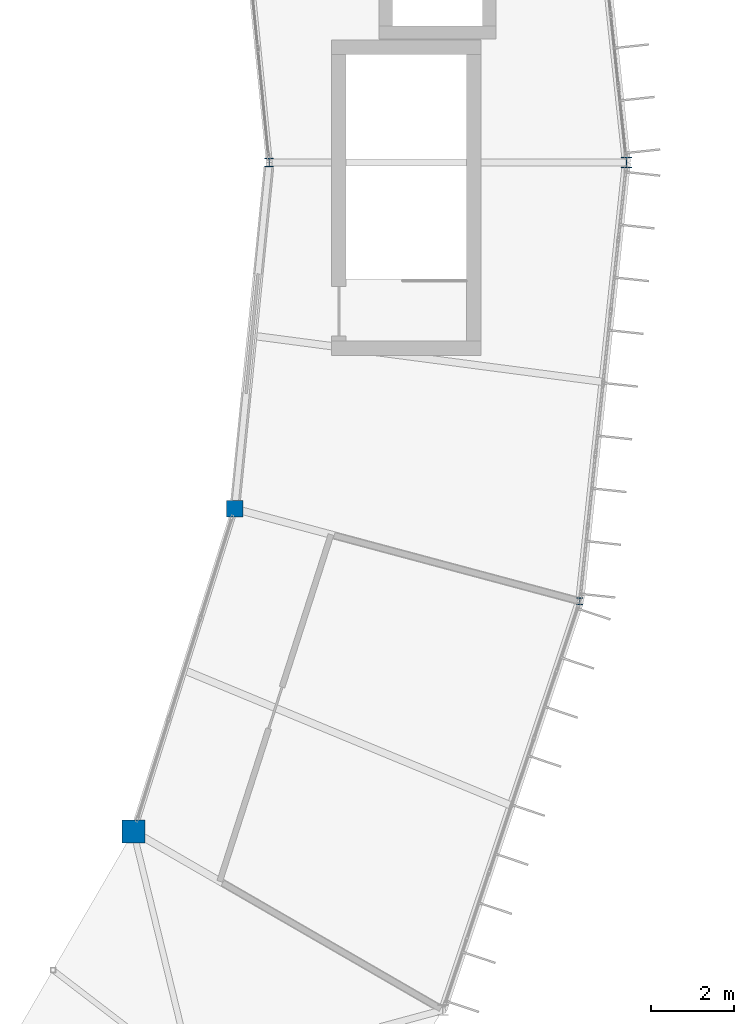
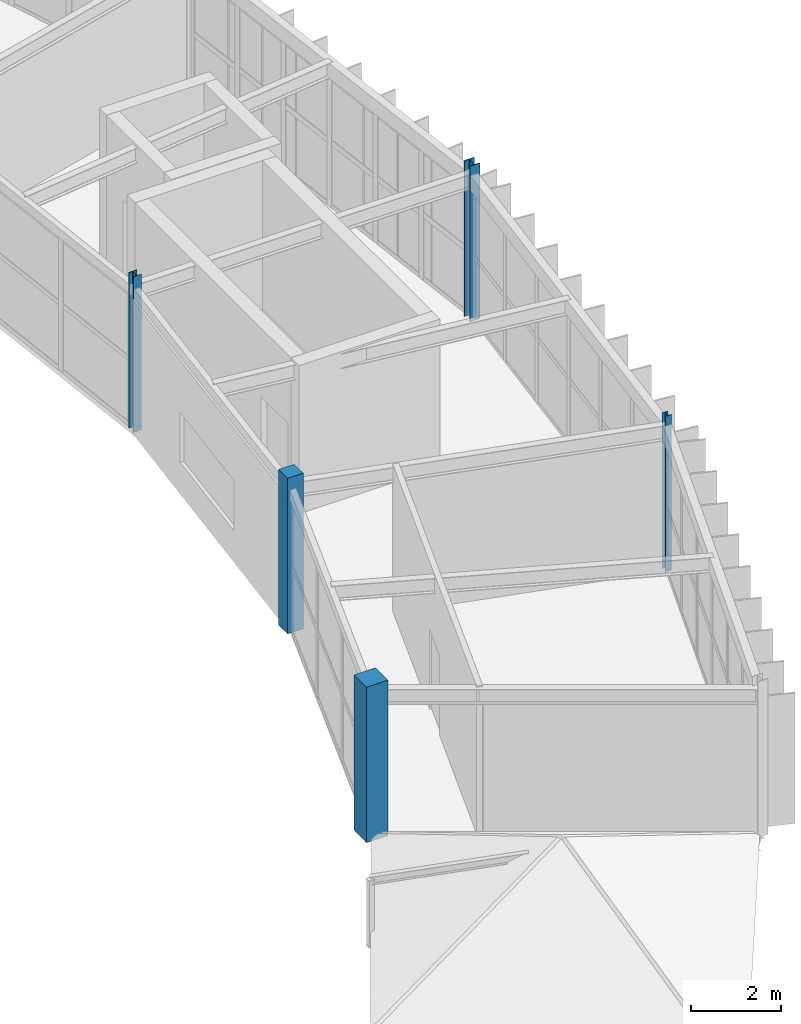
# One storey, part 3 of 66: 5 columns.
"""IFC4 building model written with IfcOpenShell, lengths in metres."""

from ifc_helpers import new_model, si_unit, direction, frame, origin, origin_2d, place, context, subcontext, project, spatial, rectangle, i_section, extrude, material, material_profile, profile_set, type_object, element, save


model = new_model("IFC4")

# Units and contexts
model_context = context("Model", 3, precision=1e-05, world=origin(), true_north=direction((0.0, 1.0)))
body_context = subcontext(model_context, "Body", "Model", "MODEL_VIEW")
ifc_project = project(units=[si_unit("LENGTHUNIT", "METRE"), si_unit("AREAUNIT", "SQUARE_METRE"), si_unit("VOLUMEUNIT", "CUBIC_METRE"), si_unit("PLANEANGLEUNIT", "RADIAN"), si_unit("MASSUNIT", "GRAM", prefix="KILO")], contexts=[model_context])

# Site, building, storey
site_placement = place(None, origin())
site = spatial("IfcSite", under=ifc_project, at=site_placement, CompositionType="ELEMENT")
building_placement = place(site_placement, origin())
building = spatial("IfcBuilding", under=site, at=building_placement, Name="Karori Crest Natural Sciences Institute", CompositionType="ELEMENT")
storey_placement = place(building_placement, frame((0.0, 0.0, 30.10009765625)))
storey = spatial("IfcBuildingStorey", under=building, at=storey_placement, Name="L07", CompositionType="ELEMENT", Elevation=30.10009765625)

# Columns
ifc_material_1 = material(Name="Structural steel AS/NZS 3679.1 Grade 350", Category="steel")
ifc_material_profile_1 = material_profile(ifc_material_1, i_section(OverallWidth=0.256103515625, OverallDepth=0.260009765625, WebThickness=0.010498046875, FlangeThickness=0.017333984375, FilletRadius=0.013916015625, at=origin_2d()), Name="250UC89.5")
ifc_profile_set_1 = profile_set([ifc_material_profile_1], Name="Structural steel AS/NZS 3679.1 Grade 350")
column_type_1 = type_object("IfcColumnType", Name="CT-06", PredefinedType="COLUMN", material=ifc_profile_set_1)
column_1_placement = place(storey_placement, frame((99.39990234375, 49.89990234375, 0.0), z_axis=(0.0, 0.0, 1.0), x_axis=(1.0, 0.0, 0.0)))
element("IfcColumn", 1, at=column_1_placement, inside=storey, type_object=column_type_1, Name="Column C-0017", PredefinedType="COLUMN", context=body_context, shape_type="SweptSolid", body=[
    extrude(i_section(OverallWidth=0.256103515625, OverallDepth=0.260009765625, WebThickness=0.010498046875, FlangeThickness=0.017333984375, FilletRadius=0.013916015625, at=origin_2d()), origin(), (0.0, 0.0, 1.0), 4.199951171875),
])
ifc_material_profile_2 = material_profile(ifc_material_1, i_section(OverallWidth=0.205078125, OverallDepth=0.2099609375, WebThickness=0.00927734375, FlangeThickness=0.01416015625, FilletRadius=0.010986328125, at=origin_2d()), Name="200UC59.5")
ifc_profile_set_2 = profile_set([ifc_material_profile_2], Name="Structural steel AS/NZS 3679.1 Grade 350")
column_type_2 = type_object("IfcColumnType", Name="CT-08", PredefinedType="COLUMN", material=ifc_profile_set_2)
column_2_placement = place(storey_placement, frame((90.800048828125, 49.89990234375, 0.0), z_axis=(0.0, 0.0, 1.0), x_axis=(1.0, 0.0, 0.0)))
element("IfcColumn", 2, at=column_2_placement, inside=storey, type_object=column_type_2, Name="Column C-0018", PredefinedType="COLUMN", context=body_context, shape_type="SweptSolid", body=[
    extrude(i_section(OverallWidth=0.205078125, OverallDepth=0.2099609375, WebThickness=0.00927734375, FlangeThickness=0.01416015625, FilletRadius=0.010986328125, at=origin_2d()), origin(), (0.0, 0.0, 1.0), 4.199951171875),
])
ifc_material_profile_3 = material_profile(ifc_material_1, i_section(OverallWidth=0.154052734375, OverallDepth=0.162109375, WebThickness=0.008056640625, FlangeThickness=0.011474609375, FilletRadius=0.009033203125, at=origin_2d()), Name="150UC37.2")
ifc_profile_set_3 = profile_set([ifc_material_profile_3], Name="Structural steel AS/NZS 3679.1 Grade 350")
column_type_3 = type_object("IfcColumnType", Name="CT-26", PredefinedType="COLUMN", material=ifc_profile_set_3)
column_3_placement = place(storey_placement, frame((98.275634765625, 39.340087890625, 0.0), z_axis=(0.0, 0.0, 1.0), x_axis=(1.0, 0.0, 0.0)))
element("IfcColumn", 3, at=column_3_placement, inside=storey, type_object=column_type_3, Name="Column C-0395", PredefinedType="COLUMN", context=body_context, shape_type="SweptSolid", body=[
    extrude(i_section(OverallWidth=0.154052734375, OverallDepth=0.162109375, WebThickness=0.008056640625, FlangeThickness=0.011474609375, FilletRadius=0.009033203125, at=origin_2d()), origin(), (0.0, 0.0, 1.0), 4.199951171875),
])
ifc_material_2 = material(Name="Concrete 50 MPa", Category="concrete")
ifc_material_profile_4 = material_profile(ifc_material_2, rectangle(XDim=0.550048828125, YDim=0.550048828125, at=origin_2d()), Name="RC550x550")
ifc_profile_set_4 = profile_set([ifc_material_profile_4], Name="Concrete 50 MPa")
column_type_4 = type_object("IfcColumnType", Name="CT-30", PredefinedType="COLUMN", material=ifc_profile_set_4)
column_4_placement = place(storey_placement, frame((87.531005859375, 33.800048828125, 0.0), z_axis=(0.0, 0.0, 1.0), x_axis=(1.0, 0.0, 0.0)))
element("IfcColumn", 4, at=column_4_placement, inside=storey, type_object=column_type_4, Name="Column C-0378", PredefinedType="COLUMN", context=body_context, shape_type="SweptSolid", body=[
    extrude(rectangle(XDim=0.550048828125, YDim=0.550048828125, at=origin_2d()), origin(), (0.0, 0.0, 1.0), 4.199951171875),
])
ifc_material_profile_5 = material_profile(ifc_material_2, rectangle(XDim=0.39990234375, YDim=0.39990234375, at=origin_2d()), Name="RC400x400")
ifc_profile_set_5 = profile_set([ifc_material_profile_5], Name="Concrete 50 MPa")
column_type_5 = type_object("IfcColumnType", Name="CT-31", PredefinedType="PILASTER", material=ifc_profile_set_5)
column_5_placement = place(storey_placement, frame((89.968505859375, 41.56591796875, 0.0), z_axis=(0.0, 0.0, 1.0), x_axis=(1.0, 0.0, 0.0)))
element("IfcColumn", 5, at=column_5_placement, inside=storey, type_object=column_type_5, Name="Column C-0396", PredefinedType="PILASTER", context=body_context, shape_type="SweptSolid", body=[
    extrude(rectangle(XDim=0.39990234375, YDim=0.39990234375, at=origin_2d()), origin(), (0.0, 0.0, 1.0), 4.199951171875),
])

save(model, "model.ifc")
